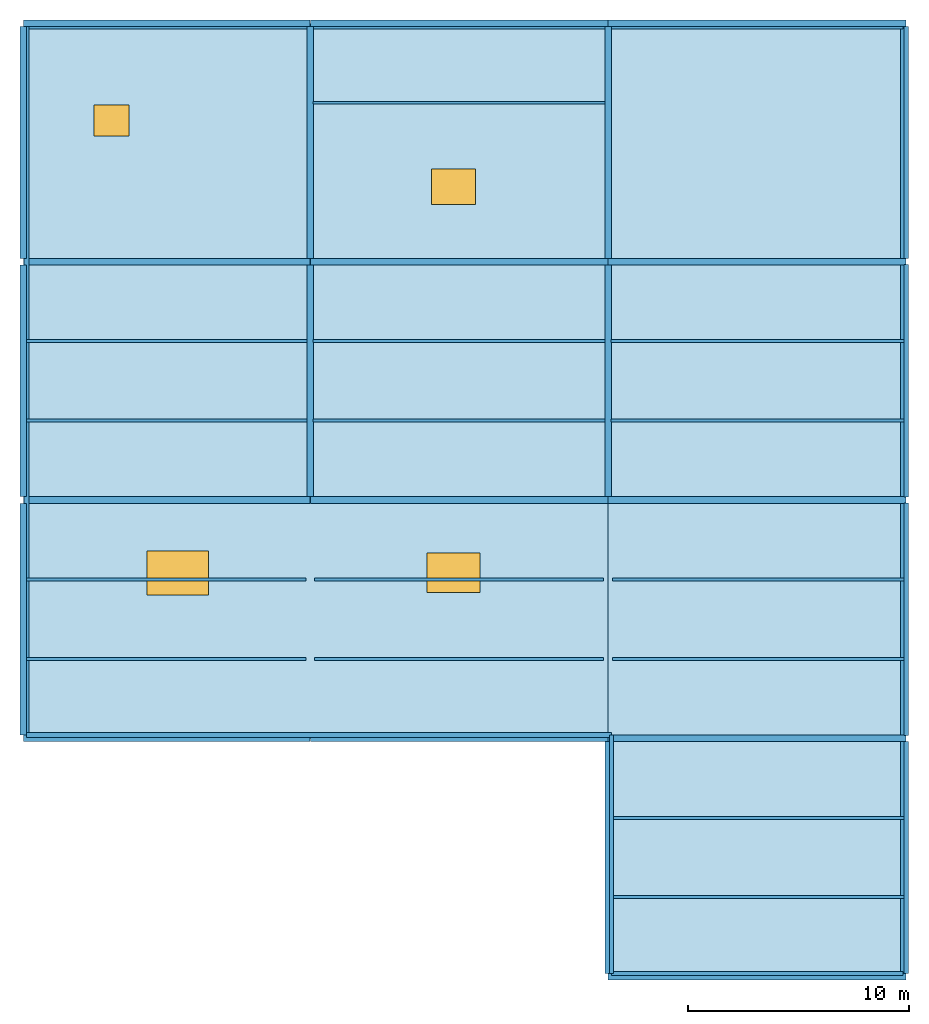
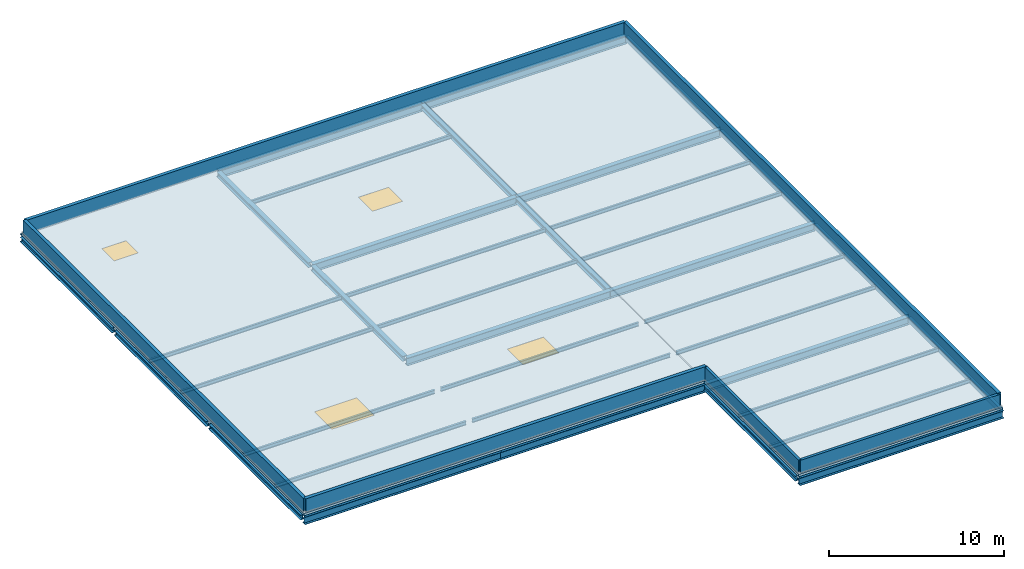
"""IFC4 building model written with IfcOpenShell, lengths in metres."""

import ifcopenshell
import ifcopenshell.guid

model = None  # the IFC model being written
_history = None  # IfcOwnerHistory: only IFC2X3 demands one
_inside = {}  # id of a spatial element -> (the spatial element, [elements in it])
_under = {}  # id of a project, library or spatial element -> (it, [spatial elements below it])
_declared = {}  # id of a project -> (the project, [libraries it declares])
_typed = {}  # id of a type object -> (the type object, [elements of that type])
_made_of = {}  # id of a material, layer set ... -> (it, [elements and type objects made of it])


def new_model(schema):
    """Start an empty IFC model of exactly this schema.

    Asked for "IFC4X3", IfcOpenShell would pick the latest addendum, in which some entities
    have other attributes; the version numbers below select the first issue.
    IFC2X3 requires an IfcOwnerHistory on every rooted entity: one is made here for all.
    """
    global model, _history
    if schema == "IFC4X3":
        model = ifcopenshell.file(schema_version=(4, 3, 0, 0))
    else:
        model = ifcopenshell.file(schema=schema)
    _inside.clear()
    _under.clear()
    _declared.clear()
    _typed.clear()
    _made_of.clear()
    _history = None
    if model.schema == "IFC2X3":
        org = make("IfcOrganization", Name="unknown")
        user = make(
            "IfcPersonAndOrganization",
            ThePerson=make("IfcPerson", FamilyName="unknown"),
            TheOrganization=org,
        )
        app = make(
            "IfcApplication",
            ApplicationDeveloper=org,
            Version="unknown",
            ApplicationFullName="unknown",
            ApplicationIdentifier="unknown",
        )
        _history = make(
            "IfcOwnerHistory",
            OwningUser=user,
            OwningApplication=app,
            ChangeAction="ADDED",
            CreationDate=0,
        )
    return model


def make(cls, **values):
    """One entity of the class cls with the attributes given. An attribute that is None is left unset."""
    return model.create_entity(
        cls, **{name: value for name, value in values.items() if value is not None}
    )


def rooted(cls, **values):
    """An entity with a GlobalId (a new one), such as an element, a storey or a relation."""
    return make(cls, GlobalId=ifcopenshell.guid.new(), OwnerHistory=_history, **values)


def si_unit(unit_type, name, prefix=None):
    """IfcSIUnit, for example si_unit("LENGTHUNIT", "METRE", prefix="MILLI")."""
    return make("IfcSIUnit", UnitType=unit_type, Prefix=prefix, Name=name)


def assignment(units):
    """IfcUnitAssignment: the units of a project."""
    return None if units is None else make("IfcUnitAssignment", Units=units)


def point(xyz):
    """IfcCartesianPoint."""
    return None if xyz is None else make("IfcCartesianPoint", Coordinates=xyz)


def direction(xyz):
    """IfcDirection."""
    return None if xyz is None else make("IfcDirection", DirectionRatios=xyz)


def frame(location, z_axis=None, x_axis=None):
    """IfcAxis2Placement3D, a coordinate frame: its origin and axes. An axis left out is left unset."""
    return make(
        "IfcAxis2Placement3D",
        Location=point(location),
        Axis=direction(z_axis),
        RefDirection=direction(x_axis),
    )


def frame_2d(location, x_axis=None):
    """IfcAxis2Placement2D, a coordinate frame in the plane: its origin and x axis."""
    return make(
        "IfcAxis2Placement2D", Location=point(location), RefDirection=direction(x_axis)
    )


def origin():
    """The frame at (0, 0, 0) with its axes left unset."""
    return frame((0.0, 0.0, 0.0))


def origin_2d():
    """The frame at (0, 0) in the plane with its x axis left unset."""
    return frame_2d((0.0, 0.0))


def place(relative_to, where):
    """IfcLocalPlacement: puts the frame where relative to a parent placement (None: the world)."""
    return make(
        "IfcLocalPlacement", PlacementRelTo=relative_to, RelativePlacement=where
    )


def context(
    kind, dimensions, precision=None, world=None, true_north=None, identifier=None
):
    """IfcGeometricRepresentationContext, for example the 3D "Model" context."""
    return make(
        "IfcGeometricRepresentationContext",
        ContextIdentifier=identifier,
        ContextType=kind,
        CoordinateSpaceDimension=dimensions,
        Precision=precision,
        WorldCoordinateSystem=world,
        TrueNorth=true_north,
    )


def subcontext(parent, identifier, kind, view, scale=None):
    """IfcGeometricRepresentationSubContext, for example "Body" below "Model"."""
    return make(
        "IfcGeometricRepresentationSubContext",
        ContextIdentifier=identifier,
        ContextType=kind,
        ParentContext=parent,
        TargetScale=scale,
        TargetView=view,
    )


def project(units=None, contexts=None):
    """IfcProject with its units and contexts."""
    return rooted(
        "IfcProject",
        Name="project",
        RepresentationContexts=contexts,
        UnitsInContext=assignment(units),
    )


def spatial(cls, under=None, at=None, **own):
    """A site, building, storey or space (cls), placed at a placement, below another one or the project."""
    s = rooted(cls, ObjectPlacement=at, **own)
    if under is not None:
        _under.setdefault(under.id(), (under, []))[1].append(s)
    return s


def polyline(points):
    """IfcPolyline through the points."""
    return make("IfcPolyline", Points=[point(p) for p in points])


def profile(cls, at=None, kind="AREA", **sizes):
    """A parametric profile (cls). Its sizes go by their IFC names, for example OverallWidth=200.0."""
    return make(cls, ProfileType=kind, Position=at, **sizes)


def rectangle(**sizes):
    """IfcRectangleProfileDef."""
    return profile("IfcRectangleProfileDef", **sizes)


def hollow_rectangle(**sizes):
    """IfcRectangleHollowProfileDef."""
    return profile("IfcRectangleHollowProfileDef", **sizes)


def i_section(**sizes):
    """IfcIShapeProfileDef."""
    return profile("IfcIShapeProfileDef", **sizes)


def outline(outer, holes=None, kind="AREA"):
    """IfcArbitraryClosedProfileDef: a profile drawn as a closed curve; with holes, ...WithVoids."""
    if holes is None:
        return make("IfcArbitraryClosedProfileDef", ProfileType=kind, OuterCurve=outer)
    return make(
        "IfcArbitraryProfileDefWithVoids",
        ProfileType=kind,
        OuterCurve=outer,
        InnerCurves=holes,
    )


def extrude(swept, where, along, depth):
    """IfcExtrudedAreaSolid: the profile swept, set in the frame where, extruded along a direction by depth."""
    return make(
        "IfcExtrudedAreaSolid",
        SweptArea=swept,
        Position=where,
        ExtrudedDirection=direction(along),
        Depth=depth,
    )


def shape(context_of_items, identifier, shape_type, items):
    """IfcShapeRepresentation: the items that make up one representation, for example the "Body"."""
    return make(
        "IfcShapeRepresentation",
        ContextOfItems=context_of_items,
        RepresentationIdentifier=identifier,
        RepresentationType=shape_type,
        Items=items,
    )


def material(Name=None, Category=None):
    """IfcMaterial."""
    return make("IfcMaterial", Name=Name, Category=Category)


def layer(
    of_material, thickness, ventilated=None, Name=None, Category=None, Priority=None
):
    """IfcMaterialLayer: one layer of a wall or slab, of a material (None: an air gap)."""
    return make(
        "IfcMaterialLayer",
        Material=of_material,
        LayerThickness=thickness,
        IsVentilated=ventilated,
        Name=Name,
        Category=Category,
        Priority=Priority,
    )


def layer_set(layers, Name=None):
    """IfcMaterialLayerSet."""
    return make("IfcMaterialLayerSet", MaterialLayers=layers, LayerSetName=Name)


def material_profile(
    of_material, cross_section, Name=None, Category=None, Priority=None
):
    """IfcMaterialProfile: a cross section and its material."""
    return make(
        "IfcMaterialProfile",
        Name=Name,
        Material=of_material,
        Profile=cross_section,
        Priority=Priority,
        Category=Category,
    )


def profile_set(profiles, Name=None, composite=None):
    """IfcMaterialProfileSet."""
    return make(
        "IfcMaterialProfileSet",
        Name=Name,
        MaterialProfiles=profiles,
        CompositeProfile=composite,
    )


def made_of(thing, what):
    """Note that an element or type object is made of a material, layer set ...; save() writes the relation."""
    if what is not None:
        _made_of.setdefault(what.id(), (what, []))[1].append(thing)
    return thing


def type_object(cls, material=None, **own):
    """A type object (cls), such as IfcWallType, which elements share."""
    return made_of(rooted(cls, **own), material)


def element(
    cls,
    number,
    at=None,
    inside=None,
    cuts=None,
    type_object=None,
    material=None,
    context=None,
    identifier="Body",
    shape_type=None,
    held_by="IfcProductDefinitionShape",
    body=None,
    shapes=None,
    **own,
):
    """One element of the class cls, such as IfcWall. Its Tag is "e" and its number.

    at: its placement. inside: the storey or other place that contains it. cuts: it is an
    opening in that element (IfcRelVoidsElement). A single representation is given by context,
    identifier, shape_type and body (its items); several are given by shapes. held_by: the class
    of the entity that holds the representations. save() writes the other relations.
    """
    e = rooted(cls, Tag="e%d" % number, ObjectPlacement=at, **own)
    if body is not None:
        shapes = [shape(context, identifier, shape_type, body)]
    if shapes is not None:
        e.Representation = make(held_by, Representations=shapes)
    if inside is not None:
        _inside.setdefault(inside.id(), (inside, []))[1].append(e)
    if cuts is not None:
        rooted(
            "IfcRelVoidsElement", RelatingBuildingElement=cuts, RelatedOpeningElement=e
        )
    if type_object is not None:
        _typed.setdefault(type_object.id(), (type_object, []))[1].append(e)
    return made_of(e, material)


def fill(opening, filler):
    """IfcRelFillsElement: the door or window that sits in an opening."""
    return rooted(
        "IfcRelFillsElement",
        RelatingOpeningElement=opening,
        RelatedBuildingElement=filler,
    )


def aggregate(whole, parts):
    """IfcRelAggregates: a whole, such as a stair, and the parts it consists of."""
    return rooted("IfcRelAggregates", RelatingObject=whole, RelatedObjects=parts)


def save(model, path):
    """Write the relations noted so far, then the file.

    IfcRelAggregates (storeys below a building ...), IfcRelContainedInSpatialStructure (elements
    in a storey), IfcRelDefinesByType, IfcRelAssociatesMaterial and IfcRelDeclares: one each for
    every whole, place, type object, material and project.
    """
    for whole, parts in _under.values():
        aggregate(whole, parts)
    for where, things in _inside.values():
        rooted(
            "IfcRelContainedInSpatialStructure",
            RelatedElements=things,
            RelatingStructure=where,
        )
    for kind, things in _typed.values():
        rooted("IfcRelDefinesByType", RelatedObjects=things, RelatingType=kind)
    for what, things in _made_of.values():
        rooted("IfcRelAssociatesMaterial", RelatedObjects=things, RelatingMaterial=what)
    for by, libraries in _declared.values():
        rooted("IfcRelDeclares", RelatingContext=by, RelatedDefinitions=libraries)
    model.write(path)


model = new_model("IFC4")

# Units and contexts
model_context = context("Model", 3, precision=1e-05, world=origin(), true_north=direction((0.0, 1.0)))
body_context = subcontext(model_context, "Body", "Model", "MODEL_VIEW")
ifc_project = project(units=[si_unit("LENGTHUNIT", "METRE"), si_unit("AREAUNIT", "SQUARE_METRE"), si_unit("VOLUMEUNIT", "CUBIC_METRE"), si_unit("PLANEANGLEUNIT", "RADIAN"), si_unit("MASSUNIT", "GRAM", prefix="KILO")], contexts=[model_context])

# Site, building, storey
site_placement = place(None, origin())
site = spatial("IfcSite", under=ifc_project, at=site_placement, CompositionType="ELEMENT")
building_placement = place(site_placement, origin())
building = spatial("IfcBuilding", under=site, at=building_placement, Name="Tamarisk Ironworks Central Station", CompositionType="ELEMENT")
storey_1_placement = place(building_placement, frame((0.0, 0.0, 30.60009765625)))
storey_1 = spatial("IfcBuildingStorey", under=building, at=storey_1_placement, Name="Roof", CompositionType="ELEMENT", Elevation=30.60009765625)

# Beams
ifc_material_1 = material(Name="Structural steel S355J2", Category="steel")
ifc_material_profile_1 = material_profile(ifc_material_1, i_section(OverallWidth=0.135009765625, OverallDepth=0.27001953125, WebThickness=0.006591796875, FlangeThickness=0.01025390625, at=origin_2d()), Name="IPE 270")
ifc_profile_set_1 = profile_set([ifc_material_profile_1], Name="Structural steel S355J2")
beam_type_1 = type_object("IfcBeamType", Name="BM-B08", PredefinedType="BEAM", material=ifc_profile_set_1)
for number, where, z_axis, x_axis, name in (
    (1, (140.135009765625, 93.60009765625, -0.295166015625), (1.0, 0.0, 0.0), (0.0, 1.0, 0.0), "Roof secondary composite beam 0283"),
    (2, (140.135009765625, 97.199951171875, -0.295166015625), (1.0, 0.0, 0.0), (0.0, 1.0, 0.0), "Roof secondary composite beam 0284"),
):
    element("IfcBeam", number, at=place(storey_1_placement, frame(where, z_axis=z_axis, x_axis=x_axis)), inside=storey_1, type_object=beam_type_1, Name=name, PredefinedType="BEAM", context=body_context, shape_type="SweptSolid", body=[
        extrude(i_section(OverallWidth=0.135009765625, OverallDepth=0.27001953125, WebThickness=0.006591796875, FlangeThickness=0.01025390625, at=origin_2d()), origin(), (0.0, 0.0, 1.0), 12.6650390625),
    ])
for number, where, z_axis, x_axis, name in (
    (3, (140.135009765625, 104.39990234375, -0.295166015625), (1.0, 0.0, 0.0), (0.0, 1.0, 0.0), "Roof secondary composite beam 0285"),
    (4, (140.135009765625, 108.0, -0.295166015625), (1.0, 0.0, 0.0), (0.0, 1.0, 0.0), "Roof secondary composite beam 0286"),
):
    element("IfcBeam", number, at=place(storey_1_placement, frame(where, z_axis=z_axis, x_axis=x_axis)), inside=storey_1, type_object=beam_type_1, Name=name, PredefinedType="BEAM", context=body_context, shape_type="SweptSolid", body=[
        extrude(i_section(OverallWidth=0.135009765625, OverallDepth=0.27001953125, WebThickness=0.006591796875, FlangeThickness=0.01025390625, at=origin_2d()), origin(), (0.0, 0.0, 1.0), 12.72998046875),
    ])
for number, where, z_axis, x_axis, name in (
    (5, (153.199951171875, 93.60009765625, -0.295166015625), (1.0, 0.0, 0.0), (0.0, 1.0, 0.0), "Roof secondary composite beam 0287"),
    (6, (153.199951171875, 97.199951171875, -0.295166015625), (1.0, 0.0, 0.0), (0.0, 1.0, 0.0), "Roof secondary composite beam 0288"),
):
    element("IfcBeam", number, at=place(storey_1_placement, frame(where, z_axis=z_axis, x_axis=x_axis)), inside=storey_1, type_object=beam_type_1, Name=name, PredefinedType="BEAM", context=body_context, shape_type="SweptSolid", body=[
        extrude(i_section(OverallWidth=0.135009765625, OverallDepth=0.27001953125, WebThickness=0.006591796875, FlangeThickness=0.01025390625, at=origin_2d()), origin(), (0.0, 0.0, 1.0), 13.10009765625),
    ])
for number, where, z_axis, x_axis, name in (
    (7, (153.135009765625, 104.39990234375, -0.295166015625), (1.0, 0.0, 0.0), (0.0, 1.0, 0.0), "Roof secondary composite beam 0289"),
    (8, (153.135009765625, 108.0, -0.295166015625), (1.0, 0.0, 0.0), (0.0, 1.0, 0.0), "Roof secondary composite beam 0290"),
    (9, (153.135009765625, 118.800048828125, -0.295166015625), (1.0, 0.0, 0.0), (0.0, 1.0, 0.0), "Roof secondary composite beam 0291"),
):
    element("IfcBeam", number, at=place(storey_1_placement, frame(where, z_axis=z_axis, x_axis=x_axis)), inside=storey_1, type_object=beam_type_1, Name=name, PredefinedType="BEAM", context=body_context, shape_type="SweptSolid", body=[
        extrude(i_section(OverallWidth=0.135009765625, OverallDepth=0.27001953125, WebThickness=0.006591796875, FlangeThickness=0.01025390625, at=origin_2d()), origin(), (0.0, 0.0, 1.0), 13.22998046875),
    ])
for number, where, z_axis, x_axis, name in (
    (10, (166.699951171875, 93.60009765625, -0.295166015625), (1.0, 0.0, 0.0), (0.0, 1.0, 0.0), "Roof secondary composite beam 0292"),
    (11, (166.699951171875, 97.199951171875, -0.295166015625), (1.0, 0.0, 0.0), (0.0, 1.0, 0.0), "Roof secondary composite beam 0293"),
):
    element("IfcBeam", number, at=place(storey_1_placement, frame(where, z_axis=z_axis, x_axis=x_axis)), inside=storey_1, type_object=beam_type_1, Name=name, PredefinedType="BEAM", context=body_context, shape_type="SweptSolid", body=[
        extrude(i_section(OverallWidth=0.135009765625, OverallDepth=0.27001953125, WebThickness=0.006591796875, FlangeThickness=0.01025390625, at=origin_2d()), origin(), (0.0, 0.0, 1.0), 13.215087890625),
    ])
for number, where, z_axis, x_axis, name in (
    (12, (166.635009765625, 104.39990234375, -0.295166015625), (1.0, 0.0, 0.0), (0.0, 1.0, 0.0), "Roof secondary composite beam 0294"),
    (13, (166.635009765625, 108.0, -0.295166015625), (1.0, 0.0, 0.0), (0.0, 1.0, 0.0), "Roof secondary composite beam 0295"),
    (14, (166.635009765625, 82.800048828125, -0.295166015625), (1.0, 0.0, 0.0), (0.0, 1.0, 0.0), "Roof secondary composite beam 0296"),
    (15, (166.635009765625, 86.39990234375, -0.295166015625), (1.0, 0.0, 0.0), (0.0, 1.0, 0.0), "Roof secondary composite beam 0297"),
):
    element("IfcBeam", number, at=place(storey_1_placement, frame(where, z_axis=z_axis, x_axis=x_axis)), inside=storey_1, type_object=beam_type_1, Name=name, PredefinedType="BEAM", context=body_context, shape_type="SweptSolid", body=[
        extrude(i_section(OverallWidth=0.135009765625, OverallDepth=0.27001953125, WebThickness=0.006591796875, FlangeThickness=0.01025390625, at=origin_2d()), origin(), (0.0, 0.0, 1.0), 13.280029296875),
    ])
ifc_material_profile_2 = material_profile(ifc_material_1, i_section(OverallWidth=0.300048828125, OverallDepth=0.5400390625, WebThickness=0.012451171875, FlangeThickness=0.02392578125, at=origin_2d()), Name="HEA 550")
ifc_profile_set_2 = profile_set([ifc_material_profile_2], Name="Structural steel S355J2")
beam_type_2 = type_object("IfcBeamType", Name="BM-G04", PredefinedType="BEAM", material=ifc_profile_set_2)
beam_1_placement = place(storey_1_placement, frame((166.50390625, 79.199951171875, -0.43017578125), z_axis=(1.0, 0.0, 0.0), x_axis=(0.0, 1.0, 0.0)))
element("IfcBeam", 16, at=beam_1_placement, inside=storey_1, type_object=beam_type_2, Name="Roof primary girder X-0786", PredefinedType="BEAM", context=body_context, shape_type="SweptSolid", body=[
    extrude(i_section(OverallWidth=0.300048828125, OverallDepth=0.5400390625, WebThickness=0.012451171875, FlangeThickness=0.02392578125, at=origin_2d()), origin(), (0.0, 0.0, 1.0), 13.4921875),
])
beam_2_placement = place(storey_1_placement, frame((140.00390625, 90.0, -0.43017578125), z_axis=(1.0, 0.0, 0.0), x_axis=(0.0, 1.0, 0.0)))
element("IfcBeam", 17, at=beam_2_placement, inside=storey_1, type_object=beam_type_2, Name="Roof primary girder X-0787", PredefinedType="BEAM", context=body_context, shape_type="SweptSolid", body=[
    extrude(i_section(OverallWidth=0.300048828125, OverallDepth=0.5400390625, WebThickness=0.012451171875, FlangeThickness=0.02392578125, at=origin_2d()), origin(), (0.0, 0.0, 1.0), 12.9921875),
])
for number, where, z_axis, x_axis, name in (
    (18, (153.00390625, 90.0, -0.43017578125), (1.0, 0.0, 0.0), (0.0, 1.0, 0.0), "Roof primary girder X-0788"),
    (19, (166.50390625, 90.0, -0.43017578125), (1.0, 0.0, 0.0), (0.0, 1.0, 0.0), "Roof primary girder X-0789"),
):
    element("IfcBeam", number, at=place(storey_1_placement, frame(where, z_axis=z_axis, x_axis=x_axis)), inside=storey_1, type_object=beam_type_2, Name=name, PredefinedType="BEAM", context=body_context, shape_type="SweptSolid", body=[
        extrude(i_section(OverallWidth=0.300048828125, OverallDepth=0.5400390625, WebThickness=0.012451171875, FlangeThickness=0.02392578125, at=origin_2d()), origin(), (0.0, 0.0, 1.0), 13.4921875),
    ])
beam_3_placement = place(storey_1_placement, frame((140.00390625, 100.800048828125, -0.43017578125), z_axis=(1.0, 0.0, 0.0), x_axis=(0.0, 1.0, 0.0)))
element("IfcBeam", 20, at=beam_3_placement, inside=storey_1, type_object=beam_type_2, Name="Roof primary girder X-0790", PredefinedType="BEAM", context=body_context, shape_type="SweptSolid", body=[
    extrude(i_section(OverallWidth=0.300048828125, OverallDepth=0.5400390625, WebThickness=0.012451171875, FlangeThickness=0.02392578125, at=origin_2d()), origin(), (0.0, 0.0, 1.0), 12.9921875),
])
for number, where, z_axis, x_axis, name in (
    (21, (153.00390625, 100.800048828125, -0.43017578125), (1.0, 0.0, 0.0), (0.0, 1.0, 0.0), "Roof primary girder X-0791"),
    (22, (166.50390625, 100.800048828125, -0.43017578125), (1.0, 0.0, 0.0), (0.0, 1.0, 0.0), "Roof primary girder X-0792"),
):
    element("IfcBeam", number, at=place(storey_1_placement, frame(where, z_axis=z_axis, x_axis=x_axis)), inside=storey_1, type_object=beam_type_2, Name=name, PredefinedType="BEAM", context=body_context, shape_type="SweptSolid", body=[
        extrude(i_section(OverallWidth=0.300048828125, OverallDepth=0.5400390625, WebThickness=0.012451171875, FlangeThickness=0.02392578125, at=origin_2d()), origin(), (0.0, 0.0, 1.0), 13.4921875),
    ])
beam_4_placement = place(storey_1_placement, frame((140.00390625, 111.60009765625, -0.43017578125), z_axis=(1.0, 0.0, 0.0), x_axis=(0.0, 1.0, 0.0)))
element("IfcBeam", 23, at=beam_4_placement, inside=storey_1, type_object=beam_type_2, Name="Roof primary girder X-0793", PredefinedType="BEAM", context=body_context, shape_type="SweptSolid", body=[
    extrude(i_section(OverallWidth=0.300048828125, OverallDepth=0.5400390625, WebThickness=0.012451171875, FlangeThickness=0.02392578125, at=origin_2d()), origin(), (0.0, 0.0, 1.0), 12.9921875),
])
for number, where, z_axis, x_axis, name in (
    (24, (153.00390625, 111.60009765625, -0.43017578125), (1.0, 0.0, 0.0), (0.0, 1.0, 0.0), "Roof primary girder X-0794"),
    (25, (166.50390625, 111.60009765625, -0.43017578125), (1.0, 0.0, 0.0), (0.0, 1.0, 0.0), "Roof primary girder X-0795"),
):
    element("IfcBeam", number, at=place(storey_1_placement, frame(where, z_axis=z_axis, x_axis=x_axis)), inside=storey_1, type_object=beam_type_2, Name=name, PredefinedType="BEAM", context=body_context, shape_type="SweptSolid", body=[
        extrude(i_section(OverallWidth=0.300048828125, OverallDepth=0.5400390625, WebThickness=0.012451171875, FlangeThickness=0.02392578125, at=origin_2d()), origin(), (0.0, 0.0, 1.0), 13.4921875),
    ])
beam_5_placement = place(storey_1_placement, frame((140.00390625, 122.39990234375, -0.43017578125), z_axis=(1.0, 0.0, 0.0), x_axis=(0.0, 1.0, 0.0)))
element("IfcBeam", 26, at=beam_5_placement, inside=storey_1, type_object=beam_type_2, Name="Roof primary girder X-0796", PredefinedType="BEAM", context=body_context, shape_type="SweptSolid", body=[
    extrude(i_section(OverallWidth=0.300048828125, OverallDepth=0.5400390625, WebThickness=0.012451171875, FlangeThickness=0.02392578125, at=origin_2d()), origin(), (0.0, 0.0, 1.0), 12.9921875),
])
for number, where, z_axis, x_axis, name in (
    (27, (153.00390625, 122.39990234375, -0.43017578125), (1.0, 0.0, 0.0), (0.0, 1.0, 0.0), "Roof primary girder X-0797"),
    (28, (166.50390625, 122.39990234375, -0.43017578125), (1.0, 0.0, 0.0), (0.0, 1.0, 0.0), "Roof primary girder X-0798"),
):
    element("IfcBeam", number, at=place(storey_1_placement, frame(where, z_axis=z_axis, x_axis=x_axis)), inside=storey_1, type_object=beam_type_2, Name=name, PredefinedType="BEAM", context=body_context, shape_type="SweptSolid", body=[
        extrude(i_section(OverallWidth=0.300048828125, OverallDepth=0.5400390625, WebThickness=0.012451171875, FlangeThickness=0.02392578125, at=origin_2d()), origin(), (0.0, 0.0, 1.0), 13.4921875),
    ])
ifc_material_profile_3 = material_profile(ifc_material_1, i_section(OverallWidth=0.300048828125, OverallDepth=0.35009765625, WebThickness=0.010009765625, FlangeThickness=0.017578125, at=origin_2d()), Name="HEA 360")
ifc_profile_set_3 = profile_set([ifc_material_profile_3], Name="Structural steel S355J2")
beam_type_3 = type_object("IfcBeamType", Name="BM-G08", PredefinedType="BEAM", material=ifc_profile_set_3)
beam_6_placement = place(storey_1_placement, frame((140.0, 90.14794921875, -0.335205078125), z_axis=(0.0, 1.0, 0.0), x_axis=(-1.0, 0.0, 0.0)))
element("IfcBeam", 29, at=beam_6_placement, inside=storey_1, type_object=beam_type_3, Name="Roof primary girder Y-0799", PredefinedType="BEAM", context=body_context, shape_type="SweptSolid", body=[
    extrude(i_section(OverallWidth=0.300048828125, OverallDepth=0.35009765625, WebThickness=0.010009765625, FlangeThickness=0.017578125, at=origin_2d()), origin(), (0.0, 0.0, 1.0), 10.504150390625),
])
beam_7_placement = place(storey_1_placement, frame((140.0, 100.947998046875, -0.335205078125), z_axis=(0.0, 1.0, 0.0), x_axis=(-1.0, 0.0, 0.0)))
element("IfcBeam", 30, at=beam_7_placement, inside=storey_1, type_object=beam_type_3, Name="Roof primary girder Y-0800", PredefinedType="BEAM", context=body_context, shape_type="SweptSolid", body=[
    extrude(i_section(OverallWidth=0.300048828125, OverallDepth=0.35009765625, WebThickness=0.010009765625, FlangeThickness=0.017578125, at=origin_2d()), origin(), (0.0, 0.0, 1.0), 10.50390625),
])
beam_8_placement = place(storey_1_placement, frame((140.0, 111.748046875, -0.335205078125), z_axis=(0.0, 1.0, 0.0), x_axis=(-1.0, 0.0, 0.0)))
element("IfcBeam", 31, at=beam_8_placement, inside=storey_1, type_object=beam_type_3, Name="Roof primary girder Y-0801", PredefinedType="BEAM", context=body_context, shape_type="SweptSolid", body=[
    extrude(i_section(OverallWidth=0.300048828125, OverallDepth=0.35009765625, WebThickness=0.010009765625, FlangeThickness=0.017578125, at=origin_2d()), origin(), (0.0, 0.0, 1.0), 10.513916015625),
])
beam_9_placement = place(storey_1_placement, frame((153.0, 100.947998046875, -0.335205078125), z_axis=(0.0, 1.0, 0.0), x_axis=(-1.0, 0.0, 0.0)))
element("IfcBeam", 32, at=beam_9_placement, inside=storey_1, type_object=beam_type_3, Name="Roof primary girder Y-0802", PredefinedType="BEAM", context=body_context, shape_type="SweptSolid", body=[
    extrude(i_section(OverallWidth=0.300048828125, OverallDepth=0.35009765625, WebThickness=0.010009765625, FlangeThickness=0.017578125, at=origin_2d()), origin(), (0.0, 0.0, 1.0), 10.50390625),
])
beam_10_placement = place(storey_1_placement, frame((153.0, 111.748046875, -0.335205078125), z_axis=(0.0, 1.0, 0.0), x_axis=(-1.0, 0.0, 0.0)))
element("IfcBeam", 33, at=beam_10_placement, inside=storey_1, type_object=beam_type_3, Name="Roof primary girder Y-0803", PredefinedType="BEAM", context=body_context, shape_type="SweptSolid", body=[
    extrude(i_section(OverallWidth=0.300048828125, OverallDepth=0.35009765625, WebThickness=0.010009765625, FlangeThickness=0.017578125, at=origin_2d()), origin(), (0.0, 0.0, 1.0), 10.513916015625),
])
beam_11_placement = place(storey_1_placement, frame((166.5, 79.347900390625, -0.335205078125), z_axis=(0.0, 1.0, 0.0), x_axis=(-1.0, 0.0, 0.0)))
element("IfcBeam", 34, at=beam_11_placement, inside=storey_1, type_object=beam_type_3, Name="Roof primary girder Y-0804", PredefinedType="BEAM", context=body_context, shape_type="SweptSolid", body=[
    extrude(i_section(OverallWidth=0.300048828125, OverallDepth=0.35009765625, WebThickness=0.010009765625, FlangeThickness=0.017578125, at=origin_2d()), origin(), (0.0, 0.0, 1.0), 10.504150390625),
])
beam_12_placement = place(storey_1_placement, frame((166.5, 100.947998046875, -0.335205078125), z_axis=(0.0, 1.0, 0.0), x_axis=(-1.0, 0.0, 0.0)))
element("IfcBeam", 35, at=beam_12_placement, inside=storey_1, type_object=beam_type_3, Name="Roof primary girder Y-0805", PredefinedType="BEAM", context=body_context, shape_type="SweptSolid", body=[
    extrude(i_section(OverallWidth=0.300048828125, OverallDepth=0.35009765625, WebThickness=0.010009765625, FlangeThickness=0.017578125, at=origin_2d()), origin(), (0.0, 0.0, 1.0), 10.50390625),
])
beam_13_placement = place(storey_1_placement, frame((166.5, 111.748046875, -0.335205078125), z_axis=(0.0, 1.0, 0.0), x_axis=(-1.0, 0.0, 0.0)))
element("IfcBeam", 36, at=beam_13_placement, inside=storey_1, type_object=beam_type_3, Name="Roof primary girder Y-0806", PredefinedType="BEAM", context=body_context, shape_type="SweptSolid", body=[
    extrude(i_section(OverallWidth=0.300048828125, OverallDepth=0.35009765625, WebThickness=0.010009765625, FlangeThickness=0.017578125, at=origin_2d()), origin(), (0.0, 0.0, 1.0), 10.513916015625),
])
ifc_material_profile_4 = material_profile(ifc_material_1, hollow_rectangle(XDim=0.199951171875, YDim=0.35009765625, WallThickness=0.012451171875, at=origin_2d()), Name="RHS 350x200x12.5")
ifc_profile_set_4 = profile_set([ifc_material_profile_4], Name="Structural steel S355J2")
beam_type_4 = type_object("IfcBeamType", Name="BM-SP01", PredefinedType="SPANDREL", material=ifc_profile_set_4)
for number, where, z_axis, x_axis, name in (
    (37, (180.0, 79.337890625, -0.335205078125), (0.0, 1.0, 0.0), (-1.0, 0.0, 0.0), "Roof primary girder Y-0807"),
    (38, (180.0, 90.137939453125, -0.335205078125), (0.0, 1.0, 0.0), (-1.0, 0.0, 0.0), "Roof primary girder Y-0808"),
):
    element("IfcBeam", number, at=place(storey_1_placement, frame(where, z_axis=z_axis, x_axis=x_axis)), inside=storey_1, type_object=beam_type_4, Name=name, PredefinedType="SPANDREL", context=body_context, shape_type="SweptSolid", body=[
        extrude(hollow_rectangle(XDim=0.199951171875, YDim=0.35009765625, WallThickness=0.012451171875, at=origin_2d()), origin(), (0.0, 0.0, 1.0), 10.524169921875),
    ])
for number, where, z_axis, x_axis, name in (
    (39, (180.0, 100.93798828125, -0.335205078125), (0.0, 1.0, 0.0), (-1.0, 0.0, 0.0), "Roof primary girder Y-0809"),
    (40, (180.0, 111.738037109375, -0.335205078125), (0.0, 1.0, 0.0), (-1.0, 0.0, 0.0), "Roof primary girder Y-0810"),
):
    element("IfcBeam", number, at=place(storey_1_placement, frame(where, z_axis=z_axis, x_axis=x_axis)), inside=storey_1, type_object=beam_type_4, Name=name, PredefinedType="SPANDREL", context=body_context, shape_type="SweptSolid", body=[
        extrude(hollow_rectangle(XDim=0.199951171875, YDim=0.35009765625, WallThickness=0.012451171875, at=origin_2d()), origin(), (0.0, 0.0, 1.0), 10.52392578125),
    ])

# Slab, openings
ifc_material_2 = material(Name="Concrete C35/45", Category="concrete")
ifc_layer_1 = layer(ifc_material_2, 0.159912109375)
ifc_layer_set_1 = layer_set([ifc_layer_1], Name="Concrete C35/45")
slab_type = type_object("IfcSlabType", Name="SL-RF160", PredefinedType="ROOF", material=ifc_layer_set_1)
slab_1_placement = place(storey_1_placement, frame((0.0, 0.0, -0.16015625)))
slab_1 = element("IfcSlab", 41, at=slab_1_placement, inside=storey_1, type_object=slab_type, Name="High Operations Wing Roof Slab HI-W", PredefinedType="ROOF", context=body_context, shape_type="SweptSolid", body=[
    extrude(outline(polyline([(140.0, 90.0), (166.5, 90.0), (166.5, 122.39990234375), (140.0, 122.39990234375), (140.0, 90.0)])), origin(), (0.0, 0.0, 1.0), 0.16015625),
])
opening_1_placement = place(slab_1_placement, frame((147.0, 97.5, 0.0)))
opening_1 = element("IfcOpeningElement", 42, at=opening_1_placement, cuts=slab_1, Name="Opening SK02", PredefinedType="OPENING", context=body_context, shape_type="SweptSolid", body=[
    extrude(rectangle(XDim=2.800048828125, YDim=2.0, at=origin_2d()), frame((0.0, 0.0, -0.011962890625)), (0.0, 0.0, 1.0), 0.18408203125),
])
opening_2_placement = place(slab_1_placement, frame((159.5, 97.5, 0.0)))
opening_2 = element("IfcOpeningElement", 43, at=opening_2_placement, cuts=slab_1, Name="Opening SK03", PredefinedType="OPENING", context=body_context, shape_type="SweptSolid", body=[
    extrude(rectangle(XDim=2.39990234375, YDim=1.800048828125, at=origin_2d()), frame((0.0, 0.0, -0.011962890625)), (0.0, 0.0, 1.0), 0.18408203125),
])
opening_3_placement = place(slab_1_placement, frame((159.5, 115.0, 0.0)))
opening_3 = element("IfcOpeningElement", 44, at=opening_3_placement, cuts=slab_1, Name="Opening SK04", PredefinedType="OPENING", context=body_context, shape_type="SweptSolid", body=[
    extrude(rectangle(XDim=2.0, YDim=1.60009765625, at=origin_2d()), frame((0.0, 0.0, -0.011962890625)), (0.0, 0.0, 1.0), 0.18408203125),
])
opening_4_placement = place(slab_1_placement, frame((144.0, 118.0, 0.0)))
opening_4 = element("IfcOpeningElement", 45, at=opening_4_placement, cuts=slab_1, Name="Opening RH01", PredefinedType="OPENING", context=body_context, shape_type="SweptSolid", body=[
    extrude(rectangle(XDim=1.60009765625, YDim=1.39990234375, at=origin_2d()), frame((0.0, 0.0, -0.011962890625)), (0.0, 0.0, 1.0), 0.18408203125),
])

# Storey
storey_2_placement = place(building_placement, frame((0.0, 0.0, 25.199951171875)))
storey_2 = spatial("IfcBuildingStorey", under=building, at=storey_2_placement, Name="L05", CompositionType="ELEMENT", Elevation=25.199951171875)

# Window
ifc_material_3 = material(Name="Laminated solar-control low-E glass", Category="glass")
window_type_1 = type_object("IfcWindowType", Name="SK-02", PartitioningType="SINGLE_PANEL", PredefinedType="SKYLIGHT", material=ifc_material_3)
window_1_placement = place(opening_1_placement, frame((0.0, 0.0, 0.105224609375)))
window_1 = element("IfcWindow", 46, at=window_1_placement, inside=storey_2, type_object=window_type_1, Name="L05 roof skylight 012", OverallHeight=2.0, OverallWidth=2.800048828125, PartitioningType="SINGLE_PANEL", PredefinedType="SKYLIGHT", context=body_context, shape_type="SweptSolid", body=[
    extrude(rectangle(XDim=2.800048828125, YDim=2.0, at=origin_2d()), origin(), (0.0, 0.0, 1.0), 0.050048828125),
])

fill(opening_1, window_1)

window_type_2 = type_object("IfcWindowType", Name="SK-03", PartitioningType="SINGLE_PANEL", PredefinedType="SKYLIGHT", material=ifc_material_3)
window_2_placement = place(opening_2_placement, frame((0.0, 0.0, 0.105224609375)))
window_2 = element("IfcWindow", 47, at=window_2_placement, inside=storey_2, type_object=window_type_2, Name="L05 roof skylight 013", OverallHeight=1.800048828125, OverallWidth=2.39990234375, PartitioningType="SINGLE_PANEL", PredefinedType="SKYLIGHT", context=body_context, shape_type="SweptSolid", body=[
    extrude(rectangle(XDim=2.39990234375, YDim=1.800048828125, at=origin_2d()), origin(), (0.0, 0.0, 1.0), 0.050048828125),
])

fill(opening_2, window_2)

window_type_3 = type_object("IfcWindowType", Name="SK-04", PartitioningType="SINGLE_PANEL", PredefinedType="SKYLIGHT", material=ifc_material_3)
window_3_placement = place(opening_3_placement, frame((0.0, 0.0, 0.105224609375)))
window_3 = element("IfcWindow", 48, at=window_3_placement, inside=storey_2, type_object=window_type_3, Name="L05 roof skylight 014", OverallHeight=1.60009765625, OverallWidth=2.0, PartitioningType="SINGLE_PANEL", PredefinedType="SKYLIGHT", context=body_context, shape_type="SweptSolid", body=[
    extrude(rectangle(XDim=2.0, YDim=1.60009765625, at=origin_2d()), origin(), (0.0, 0.0, 1.0), 0.050048828125),
])

fill(opening_3, window_3)

window_type_4 = type_object("IfcWindowType", Name="SK-05", PartitioningType="SINGLE_PANEL", PredefinedType="USERDEFINED", material=ifc_material_3)
window_4_placement = place(opening_4_placement, frame((0.0, 0.0, 0.105224609375)))
window_4 = element("IfcWindow", 49, at=window_4_placement, inside=storey_2, type_object=window_type_4, Name="L05 roof access hatch 015", ObjectType="ROOF HATCH", OverallHeight=1.39990234375, OverallWidth=1.60009765625, PartitioningType="SINGLE_PANEL", PredefinedType="USERDEFINED", context=body_context, shape_type="SweptSolid", body=[
    extrude(rectangle(XDim=1.60009765625, YDim=1.39990234375, at=origin_2d()), origin(), (0.0, 0.0, 1.0), 0.050048828125),
])

fill(opening_4, window_4)

# Slab
slab_2_placement = place(storey_1_placement, frame((0.0, 0.0, -0.16015625)))
element("IfcSlab", 50, at=slab_2_placement, inside=storey_1, type_object=slab_type, Name="High Operations Wing Roof Slab HI-E", PredefinedType="ROOF", context=body_context, shape_type="SweptSolid", body=[
    extrude(outline(polyline([(166.5, 79.199951171875), (180.0, 79.199951171875), (180.0, 122.39990234375), (166.5, 122.39990234375), (166.5, 79.199951171875)])), origin(), (0.0, 0.0, 1.0), 0.16015625),
])

# Walls
ifc_material_4 = material(Name="Precast concrete C45/55", Category="concrete")
ifc_layer_2 = layer(ifc_material_4, 0.179931640625)
ifc_layer_set_2 = layer_set([ifc_layer_2], Name="Precast concrete C45/55")
wall_type_1 = type_object("IfcWallType", Name="WL-PA180", PredefinedType="PARAPET", material=ifc_layer_set_2)
wall_1_placement = place(storey_1_placement, frame((166.64990234375, 79.35009765625, 0.0), z_axis=(0.0, 0.0, 1.0), x_axis=(1.0, 0.0, 0.0)))
element("IfcWall", 51, at=wall_1_placement, inside=storey_1, type_object=wall_type_1, Name="Roof flat roof parapet wall 05", PredefinedType="PARAPET", context=body_context, shape_type="SweptSolid", body=[
    extrude(rectangle(XDim=13.2001953125, YDim=0.179931640625, at=frame_2d((6.60009765625, 0.0))), origin(), (0.0, 0.0, 1.0), 0.89990234375),
])
wall_2_placement = place(storey_1_placement, frame((166.64990234375, 79.35009765625, 0.0), z_axis=(0.0, 0.0, 1.0), x_axis=(0.0, 1.0, 0.0)))
element("IfcWall", 52, at=wall_2_placement, inside=storey_1, type_object=wall_type_1, Name="Roof flat roof parapet wall 06", PredefinedType="PARAPET", context=body_context, shape_type="SweptSolid", body=[
    extrude(rectangle(XDim=10.7998046875, YDim=0.179931640625, at=frame_2d((5.39990234375, 0.0))), origin(), (0.0, 0.0, 1.0), 0.89990234375),
])
ifc_material_5 = material(Name="Clay facing brickwork and mortar", Category="masonry")
ifc_layer_3 = layer(ifc_material_5, 0.219970703125)
ifc_layer_set_3 = layer_set([ifc_layer_3], Name="Clay facing brickwork and mortar")
wall_type_2 = type_object("IfcWallType", Name="WL-PA220", PredefinedType="PARAPET", material=ifc_layer_set_3)
wall_3_placement = place(storey_1_placement, frame((140.14990234375, 90.14990234375, 0.0), z_axis=(0.0, 0.0, 1.0), x_axis=(1.0, 0.0, 0.0)))
element("IfcWall", 53, at=wall_3_placement, inside=storey_1, type_object=wall_type_2, Name="Roof flat roof parapet wall 03", PredefinedType="PARAPET", context=body_context, shape_type="SweptSolid", body=[
    extrude(rectangle(XDim=26.5, YDim=0.219970703125, at=frame_2d((13.25, 0.0))), origin(), (0.0, 0.0, 1.0), 0.949951171875),
])
wall_4_placement = place(storey_1_placement, frame((140.14990234375, 90.14990234375, 0.0), z_axis=(0.0, 0.0, 1.0), x_axis=(0.0, 1.0, 0.0)))
element("IfcWall", 54, at=wall_4_placement, inside=storey_1, type_object=wall_type_2, Name="Roof flat roof parapet wall 04", PredefinedType="PARAPET", context=body_context, shape_type="SweptSolid", body=[
    extrude(rectangle(XDim=32.10009765625, YDim=0.219970703125, at=frame_2d((16.050048828125, 0.0))), origin(), (0.0, 0.0, 1.0), 0.949951171875),
])
ifc_layer_4 = layer(ifc_material_5, 0.22509765625)
ifc_layer_set_4 = layer_set([ifc_layer_4], Name="Clay facing brickwork and mortar")
wall_type_3 = type_object("IfcWallType", Name="WL-PA225", PredefinedType="PARAPET", material=ifc_layer_set_4)
wall_5_placement = place(storey_1_placement, frame((140.14990234375, 122.25, 0.0), z_axis=(0.0, 0.0, 1.0), x_axis=(1.0, 0.0, 0.0)))
element("IfcWall", 55, at=wall_5_placement, inside=storey_1, type_object=wall_type_3, Name="Roof flat roof parapet wall 01", PredefinedType="PARAPET", context=body_context, shape_type="SweptSolid", body=[
    extrude(rectangle(XDim=39.7001953125, YDim=0.22509765625, at=frame_2d((19.85009765625, 0.0))), origin(), (0.0, 0.0, 1.0), 0.949951171875),
])
wall_6_placement = place(storey_1_placement, frame((179.85009765625, 79.35009765625, 0.0), z_axis=(0.0, 0.0, 1.0), x_axis=(0.0, 1.0, 0.0)))
element("IfcWall", 56, at=wall_6_placement, inside=storey_1, type_object=wall_type_3, Name="Roof flat roof parapet wall 02", PredefinedType="PARAPET", context=body_context, shape_type="SweptSolid", body=[
    extrude(rectangle(XDim=42.89990234375, YDim=0.22509765625, at=frame_2d((21.449951171875, 0.0))), origin(), (0.0, 0.0, 1.0), 0.949951171875),
])

save(model, "model.ifc")
